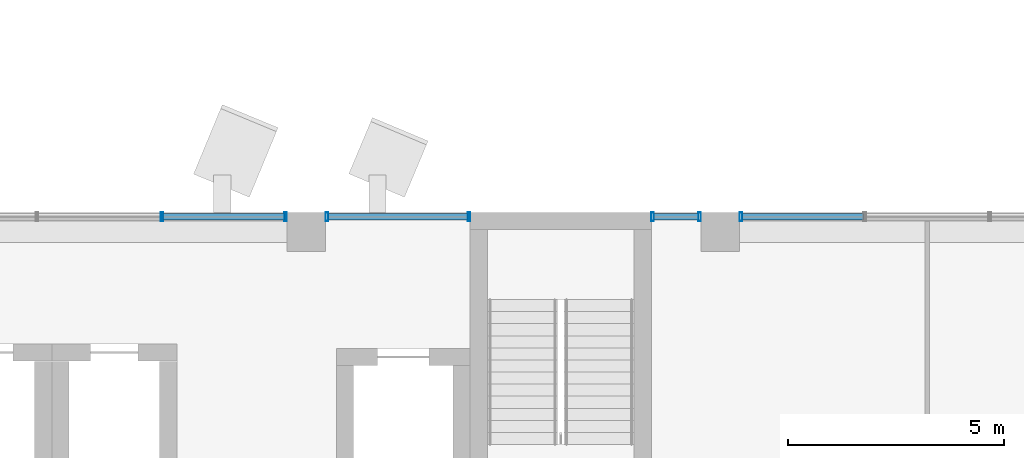
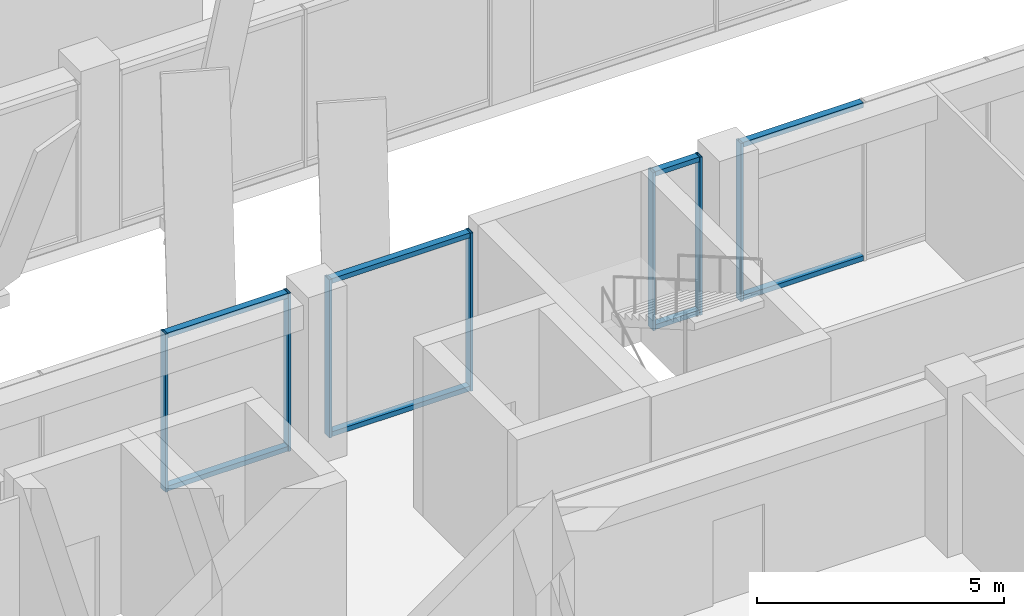
# One storey, part 9 of 36: 15 members, 4 elements without a shape of their own.
"""IFC4 building model written with IfcOpenShell, lengths in metres."""

from ifc_helpers import new_model, si_unit, direction, frame, origin, origin_2d, place, context, subcontext, project, spatial, hollow_rectangle, extrude, material, layer, layer_set, material_profile, profile_set, type_object, element, aggregate, save


model = new_model("IFC4")

# Units and contexts
model_context = context("Model", 3, precision=1e-05, world=origin(), true_north=direction((0.0, 1.0)))
body_context = subcontext(model_context, "Body", "Model", "MODEL_VIEW")
ifc_project = project(units=[si_unit("LENGTHUNIT", "METRE"), si_unit("AREAUNIT", "SQUARE_METRE"), si_unit("VOLUMEUNIT", "CUBIC_METRE"), si_unit("PLANEANGLEUNIT", "RADIAN"), si_unit("MASSUNIT", "GRAM", prefix="KILO")], contexts=[model_context])

# Site, building, storey
site_placement = place(None, origin())
site = spatial("IfcSite", under=ifc_project, at=site_placement, CompositionType="ELEMENT")
building_placement = place(site_placement, origin())
building = spatial("IfcBuilding", under=site, at=building_placement, Name="Nzadi Deep Aquarium and Research Tower", CompositionType="ELEMENT")
storey_placement = place(building_placement, frame((0.0, 0.0, 36.10009765625)))
storey = spatial("IfcBuildingStorey", under=building, at=storey_placement, Name="L06", CompositionType="ELEMENT", Elevation=36.10009765625)

# Curtain wall, members
ifc_material_1 = material(Name="Aluminium unitised frame", Category="aluminium")
ifc_layer = layer(ifc_material_1, 0.199951171875)
ifc_layer_set = layer_set([ifc_layer], Name="Aluminium unitised frame")
curtain_wall_type = type_object("IfcCurtainWallType", Name="Curtain wall Unitised 200", PredefinedType="NOTDEFINED", material=ifc_layer_set)
curtain_wall_1_placement = place(storey_placement, origin())
curtain_wall_1 = element("IfcCurtainWall", 1, at=curtain_wall_1_placement, inside=storey, type_object=curtain_wall_type, Name="Unitised curtain wall blade A north L06", PredefinedType="NOTDEFINED")
ifc_material_2 = material(Name="Aluminium unitised frame", Category="aluminium")
ifc_material_profile_1 = material_profile(ifc_material_2, hollow_rectangle(XDim=0.199951171875, YDim=0.06005859375, WallThickness=0.0048828125, at=origin_2d()))
ifc_profile_set_1 = profile_set([ifc_material_profile_1], Name="Aluminium unitised frame")
member_type_1 = type_object("IfcMemberType", Name="Mullion 60x200 Unitised", PredefinedType="MULLION", material=ifc_profile_set_1)
member_1_placement = place(storey_placement, frame((15.85009765625, 18.75, 0.0), z_axis=(0.0, 0.0, 1.0), x_axis=(0.0, 1.0, 0.0)))
member_1 = element("IfcMember", 2, at=member_1_placement, type_object=member_type_1, Name="CW010 mullion 3", PredefinedType="MULLION", context=body_context, shape_type="SweptSolid", body=[
    extrude(hollow_rectangle(XDim=0.199951171875, YDim=0.06005859375, WallThickness=0.0048828125, at=origin_2d()), origin(), (0.0, 0.0, 1.0), 3.89990234375),
])
member_2_placement = place(storey_placement, frame((18.719970703125, 18.75, 0.0), z_axis=(0.0, 0.0, 1.0), x_axis=(0.0, 1.0, 0.0)))
member_2 = element("IfcMember", 3, at=member_2_placement, type_object=member_type_1, Name="CW010 mullion 4", PredefinedType="MULLION", context=body_context, shape_type="SweptSolid", body=[
    extrude(hollow_rectangle(XDim=0.199951171875, YDim=0.06005859375, WallThickness=0.0048828125, at=origin_2d()), origin(), (0.0, 0.0, 1.0), 3.89990234375),
])

curtain_wall_2_placement = place(storey_placement, origin())
curtain_wall_2 = element("IfcCurtainWall", 4, at=curtain_wall_2_placement, inside=storey, type_object=curtain_wall_type, Name="Unitised curtain wall blade A north L06", PredefinedType="NOTDEFINED")
member_3_placement = place(storey_placement, frame((19.679931640625, 18.75, 0.0), z_axis=(0.0, 0.0, 1.0), x_axis=(0.0, 1.0, 0.0)))
member_3 = element("IfcMember", 5, at=member_3_placement, type_object=member_type_1, Name="CW011 mullion 1", PredefinedType="MULLION", context=body_context, shape_type="SweptSolid", body=[
    extrude(hollow_rectangle(XDim=0.199951171875, YDim=0.06005859375, WallThickness=0.0048828125, at=origin_2d()), origin(), (0.0, 0.0, 1.0), 3.89990234375),
])
member_4_placement = place(storey_placement, frame((22.969970703125, 18.75, 0.0), z_axis=(0.0, 0.0, 1.0), x_axis=(0.0, 1.0, 0.0)))
member_4 = element("IfcMember", 6, at=member_4_placement, type_object=member_type_1, Name="CW011 mullion 2", PredefinedType="MULLION", context=body_context, shape_type="SweptSolid", body=[
    extrude(hollow_rectangle(XDim=0.199951171875, YDim=0.06005859375, WallThickness=0.0048828125, at=origin_2d()), origin(), (0.0, 0.0, 1.0), 3.89990234375),
])

curtain_wall_3_placement = place(storey_placement, origin())
curtain_wall_3 = element("IfcCurtainWall", 7, at=curtain_wall_3_placement, inside=storey, type_object=curtain_wall_type, Name="Unitised curtain wall blade A north L06", PredefinedType="NOTDEFINED")
member_5_placement = place(storey_placement, frame((27.22998046875, 18.75, 0.0), z_axis=(0.0, 0.0, 1.0), x_axis=(0.0, 1.0, 0.0)))
member_5 = element("IfcMember", 8, at=member_5_placement, type_object=member_type_1, Name="CW012 mullion 1", PredefinedType="MULLION", context=body_context, shape_type="SweptSolid", body=[
    extrude(hollow_rectangle(XDim=0.199951171875, YDim=0.06005859375, WallThickness=0.0048828125, at=origin_2d()), origin(), (0.0, 0.0, 1.0), 3.89990234375),
])
member_6_placement = place(storey_placement, frame((28.320068359375, 18.75, 0.0), z_axis=(0.0, 0.0, 1.0), x_axis=(0.0, 1.0, 0.0)))
member_6 = element("IfcMember", 9, at=member_6_placement, type_object=member_type_1, Name="CW012 mullion 2", PredefinedType="MULLION", context=body_context, shape_type="SweptSolid", body=[
    extrude(hollow_rectangle(XDim=0.199951171875, YDim=0.06005859375, WallThickness=0.0048828125, at=origin_2d()), origin(), (0.0, 0.0, 1.0), 3.89990234375),
])

# Curtain wall, member
curtain_wall_4_placement = place(storey_placement, origin())
curtain_wall_4 = element("IfcCurtainWall", 10, at=curtain_wall_4_placement, inside=storey, type_object=curtain_wall_type, Name="Unitised curtain wall blade A north L06", PredefinedType="NOTDEFINED")
member_7_placement = place(storey_placement, frame((29.280029296875, 18.75, 0.0), z_axis=(0.0, 0.0, 1.0), x_axis=(0.0, 1.0, 0.0)))
member_7 = element("IfcMember", 11, at=member_7_placement, type_object=member_type_1, Name="CW013 mullion 1", PredefinedType="MULLION", context=body_context, shape_type="SweptSolid", body=[
    extrude(hollow_rectangle(XDim=0.199951171875, YDim=0.06005859375, WallThickness=0.0048828125, at=origin_2d()), origin(), (0.0, 0.0, 1.0), 3.89990234375),
])

# Member
ifc_material_3 = material(Name="Aluminium unitised frame", Category="aluminium")
ifc_material_profile_2 = material_profile(ifc_material_3, hollow_rectangle(XDim=0.159912109375, YDim=0.1201171875, WallThickness=0.0048828125, at=origin_2d()))
ifc_profile_set_2 = profile_set([ifc_material_profile_2], Name="Aluminium unitised frame")
member_type_2 = type_object("IfcMemberType", Name="Transom 120x160 Unitised", PredefinedType="MULLION", material=ifc_profile_set_2)
member_8_placement = place(storey_placement, frame((15.8798828125, 18.75, 0.059814453125), z_axis=(1.0, 0.0, 0.0), x_axis=(0.0, 1.0, 0.0)))
member_8 = element("IfcMember", 12, at=member_8_placement, type_object=member_type_2, Name="CW010 transom 3.1", PredefinedType="MULLION", context=body_context, shape_type="SweptSolid", body=[
    extrude(hollow_rectangle(XDim=0.159912109375, YDim=0.1201171875, WallThickness=0.0048828125, at=origin_2d()), origin(), (0.0, 0.0, 1.0), 2.81005859375),
])

member_9_placement = place(storey_placement, frame((15.8798828125, 18.75, 3.83984375), z_axis=(1.0, 0.0, 0.0), x_axis=(0.0, 1.0, 0.0)))
member_9 = element("IfcMember", 13, at=member_9_placement, type_object=member_type_2, Name="CW010 transom 3.2", PredefinedType="MULLION", context=body_context, shape_type="SweptSolid", body=[
    extrude(hollow_rectangle(XDim=0.159912109375, YDim=0.1201171875, WallThickness=0.0048828125, at=origin_2d()), origin(), (0.0, 0.0, 1.0), 2.81005859375),
])

aggregate(curtain_wall_1, [member_1, member_2, member_8, member_9])

member_10_placement = place(storey_placement, frame((19.7099609375, 18.75, 0.059814453125), z_axis=(1.0, 0.0, 0.0), x_axis=(0.0, 1.0, 0.0)))
member_10 = element("IfcMember", 14, at=member_10_placement, type_object=member_type_2, Name="CW011 transom 1.1", PredefinedType="MULLION", context=body_context, shape_type="SweptSolid", body=[
    extrude(hollow_rectangle(XDim=0.159912109375, YDim=0.1201171875, WallThickness=0.0048828125, at=origin_2d()), origin(), (0.0, 0.0, 1.0), 3.22998046875),
])

member_11_placement = place(storey_placement, frame((19.7099609375, 18.75, 3.83984375), z_axis=(1.0, 0.0, 0.0), x_axis=(0.0, 1.0, 0.0)))
member_11 = element("IfcMember", 15, at=member_11_placement, type_object=member_type_2, Name="CW011 transom 1.2", PredefinedType="MULLION", context=body_context, shape_type="SweptSolid", body=[
    extrude(hollow_rectangle(XDim=0.159912109375, YDim=0.1201171875, WallThickness=0.0048828125, at=origin_2d()), origin(), (0.0, 0.0, 1.0), 3.22998046875),
])

aggregate(curtain_wall_2, [member_3, member_4, member_10, member_11])

member_12_placement = place(storey_placement, frame((27.260009765625, 18.75, 0.059814453125), z_axis=(1.0, 0.0, 0.0), x_axis=(0.0, 1.0, 0.0)))
member_12 = element("IfcMember", 16, at=member_12_placement, type_object=member_type_2, Name="CW012 transom 1.1", PredefinedType="MULLION", context=body_context, shape_type="SweptSolid", body=[
    extrude(hollow_rectangle(XDim=0.159912109375, YDim=0.1201171875, WallThickness=0.0048828125, at=origin_2d()), origin(), (0.0, 0.0, 1.0), 1.030029296875),
])

member_13_placement = place(storey_placement, frame((27.260009765625, 18.75, 3.83984375), z_axis=(1.0, 0.0, 0.0), x_axis=(0.0, 1.0, 0.0)))
member_13 = element("IfcMember", 17, at=member_13_placement, type_object=member_type_2, Name="CW012 transom 1.2", PredefinedType="MULLION", context=body_context, shape_type="SweptSolid", body=[
    extrude(hollow_rectangle(XDim=0.159912109375, YDim=0.1201171875, WallThickness=0.0048828125, at=origin_2d()), origin(), (0.0, 0.0, 1.0), 1.030029296875),
])

aggregate(curtain_wall_3, [member_5, member_6, member_12, member_13])

member_14_placement = place(storey_placement, frame((29.31005859375, 18.75, 0.059814453125), z_axis=(1.0, 0.0, 0.0), x_axis=(0.0, 1.0, 0.0)))
member_14 = element("IfcMember", 18, at=member_14_placement, type_object=member_type_2, Name="CW013 transom 1.1", PredefinedType="MULLION", context=body_context, shape_type="SweptSolid", body=[
    extrude(hollow_rectangle(XDim=0.159912109375, YDim=0.1201171875, WallThickness=0.0048828125, at=origin_2d()), origin(), (0.0, 0.0, 1.0), 2.81005859375),
])

member_15_placement = place(storey_placement, frame((29.31005859375, 18.75, 3.83984375), z_axis=(1.0, 0.0, 0.0), x_axis=(0.0, 1.0, 0.0)))
member_15 = element("IfcMember", 19, at=member_15_placement, type_object=member_type_2, Name="CW013 transom 1.2", PredefinedType="MULLION", context=body_context, shape_type="SweptSolid", body=[
    extrude(hollow_rectangle(XDim=0.159912109375, YDim=0.1201171875, WallThickness=0.0048828125, at=origin_2d()), origin(), (0.0, 0.0, 1.0), 2.81005859375),
])

aggregate(curtain_wall_4, [member_7, member_14, member_15])

save(model, "model.ifc")
